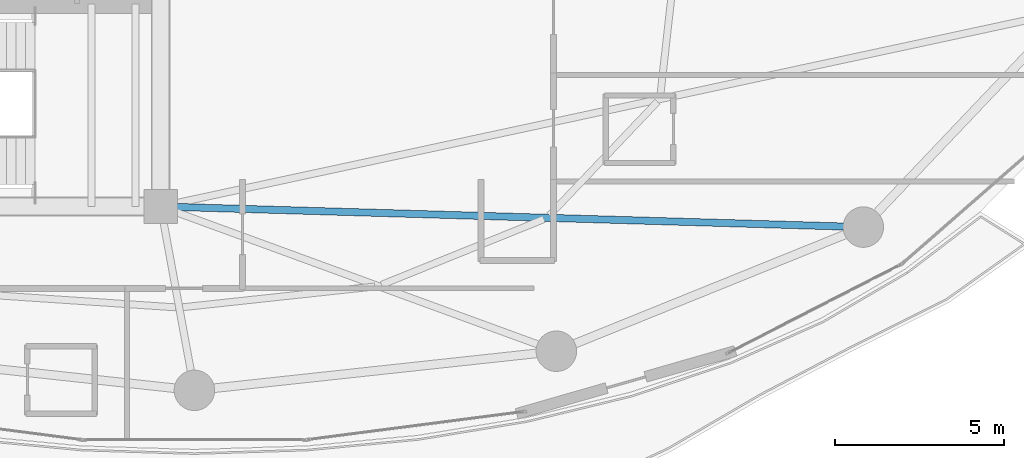
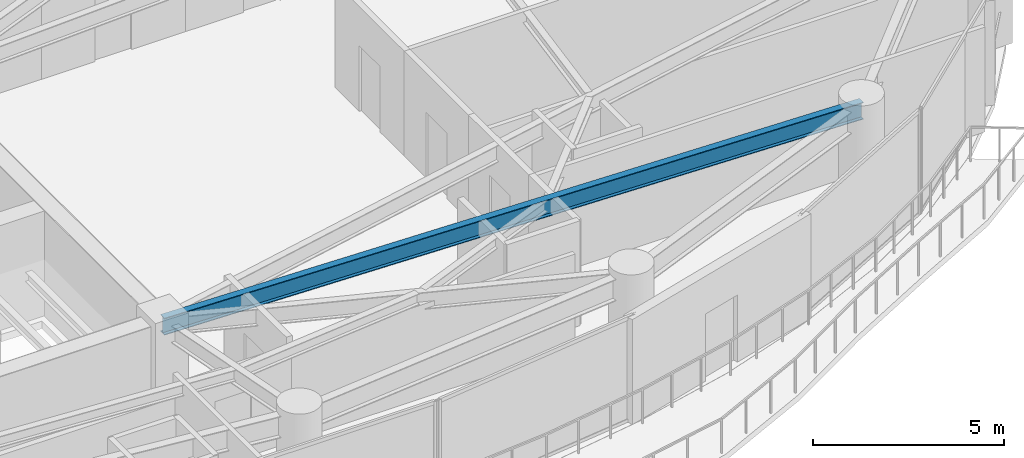
# One storey, part 10 of 31: 1 beam.
"""IFC4 building model written with IfcOpenShell, lengths in metres."""

from ifc_helpers import new_model, si_unit, direction, frame, origin, origin_2d, place, context, subcontext, project, spatial, i_section, extrude, material, material_profile, profile_set, type_object, element, save


model = new_model("IFC4")

# Units and contexts
model_context = context("Model", 3, precision=1e-05, world=origin(), true_north=direction((0.0, 1.0)))
body_context = subcontext(model_context, "Body", "Model", "MODEL_VIEW")
ifc_project = project(units=[si_unit("LENGTHUNIT", "METRE"), si_unit("AREAUNIT", "SQUARE_METRE"), si_unit("VOLUMEUNIT", "CUBIC_METRE"), si_unit("PLANEANGLEUNIT", "RADIAN"), si_unit("MASSUNIT", "GRAM", prefix="KILO")], contexts=[model_context])

# Site, building, storey
site_placement = place(None, origin())
site = spatial("IfcSite", under=ifc_project, at=site_placement, CompositionType="ELEMENT")
building_placement = place(site_placement, origin())
building = spatial("IfcBuilding", under=site, at=building_placement, Name="Kazevale Care Tower and Concert Hall", CompositionType="ELEMENT")
storey_placement = place(building_placement, frame((0.0, 0.0, 124.199951171875)))
storey = spatial("IfcBuildingStorey", under=building, at=storey_placement, Name="L32", CompositionType="ELEMENT", Elevation=124.199951171875)

# Beam
ifc_material = material(Name="Steel ASTM A572 Gr 50", Category="steel")
ifc_material_profile = material_profile(ifc_material, i_section(OverallWidth=0.2119140625, OverallDepth=0.5439453125, WebThickness=0.01318359375, FlangeThickness=0.021240234375, at=origin_2d()), Name="W530x123")
ifc_profile_set = profile_set([ifc_material_profile], Name="Steel ASTM A572 Gr 50")
beam_type = type_object("IfcBeamType", Name="Radial Floor Girder W530x123", PredefinedType="BEAM", material=ifc_profile_set)
beam_placement = place(storey_placement, frame((44.0, 23.60009765625, 3.088134765625), z_axis=(0.99957133157, -0.029277177187, 0.0), x_axis=(0.029277177187, 0.99957133157, 0.0)))
element("IfcBeam", 1, at=beam_placement, inside=storey, type_object=beam_type, Name="beam:L32:rad:15", PredefinedType="BEAM", context=body_context, shape_type="SweptSolid", body=[
    extrude(i_section(OverallWidth=0.2119140625, OverallDepth=0.5439453125, WebThickness=0.01318359375, FlangeThickness=0.021240234375, at=origin_2d()), origin(), (0.0, 0.0, 1.0), 20.839111328125),
])

save(model, "model.ifc")
